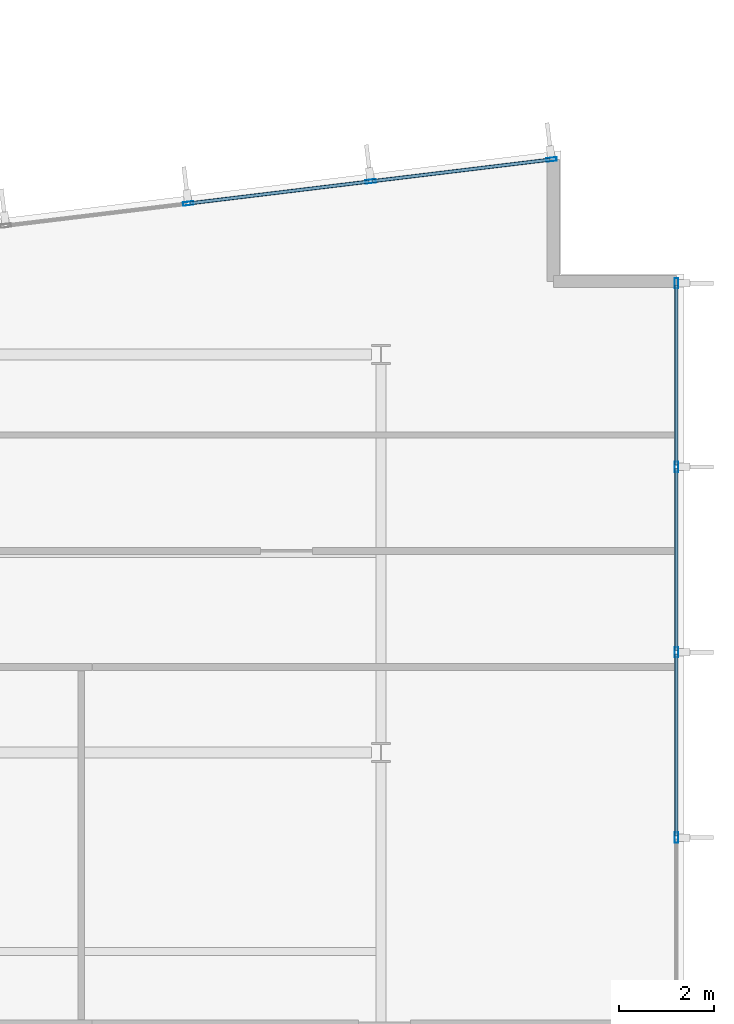
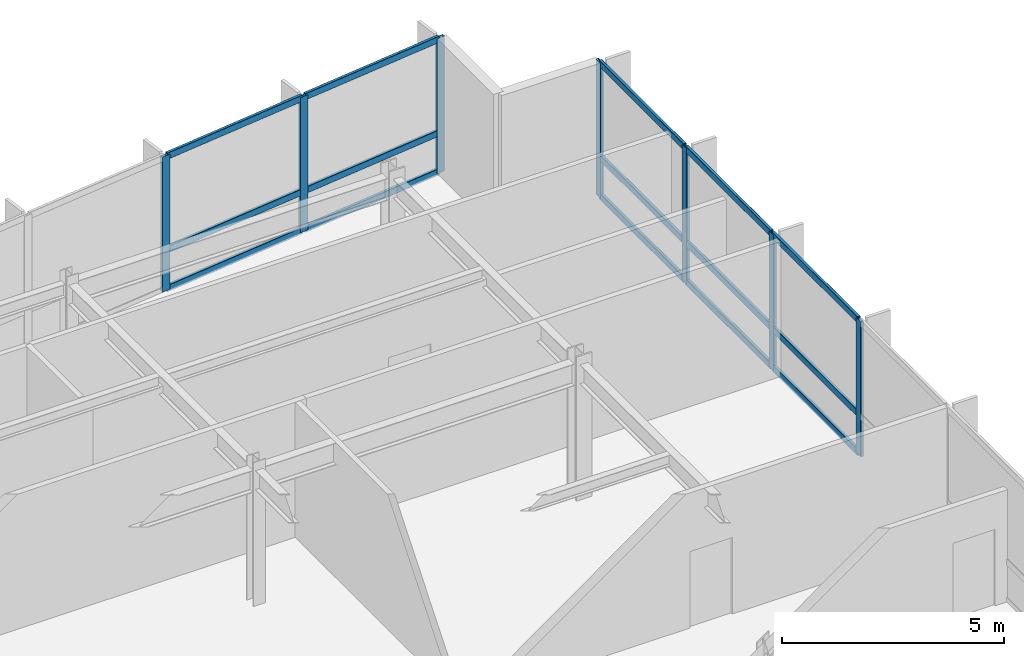
# One storey, part 8 of 16: 22 members, 2 elements without a shape of their own.
"""IFC4 building model written with IfcOpenShell, lengths in metres."""

from ifc_helpers import new_model, si_unit, direction, frame, origin, origin_2d, place, context, subcontext, project, spatial, hollow_rectangle, extrude, material, layer, layer_set, material_profile, profile_set, type_object, element, aggregate, save


model = new_model("IFC4")

# Units and contexts
model_context = context("Model", 3, precision=1e-05, world=origin(), true_north=direction((0.0, 1.0)))
body_context = subcontext(model_context, "Body", "Model", "MODEL_VIEW")
ifc_project = project(units=[si_unit("LENGTHUNIT", "METRE"), si_unit("AREAUNIT", "SQUARE_METRE"), si_unit("VOLUMEUNIT", "CUBIC_METRE"), si_unit("PLANEANGLEUNIT", "RADIAN"), si_unit("MASSUNIT", "GRAM", prefix="KILO")], contexts=[model_context])

# Site, building, storey
site_placement = place(None, origin())
site = spatial("IfcSite", under=ifc_project, at=site_placement, CompositionType="ELEMENT")
building_placement = place(site_placement, origin())
building = spatial("IfcBuilding", under=site, at=building_placement, Name="Varnakote Quay Hospital", CompositionType="ELEMENT")
storey_placement = place(building_placement, frame((0.0, 0.0, 166.550048828125)))
storey = spatial("IfcBuildingStorey", under=building, at=storey_placement, Name="L41", CompositionType="ELEMENT", Elevation=166.550048828125)

# Curtain wall, members
ifc_material_1 = material(Name="Anodised aluminium 6063-T6 Bronze", Category="aluminium")
ifc_layer = layer(ifc_material_1, 0.205078125)
ifc_layer_set = layer_set([ifc_layer], Name="Anodised aluminium 6063-T6 Bronze")
curtain_wall_type = type_object("IfcCurtainWallType", Name="CW-SYS-3", PredefinedType="NOTDEFINED", material=ifc_layer_set)
curtain_wall_1_placement = place(storey_placement, origin())
curtain_wall_1 = element("IfcCurtainWall", 1, at=curtain_wall_1_placement, inside=storey, type_object=curtain_wall_type, Name="L41 Unitised Bronze Curtain Wall 1", PredefinedType="NOTDEFINED")
ifc_material_2 = material(Name="Anodised aluminium 6063-T6 Bronze", Category="aluminium")
ifc_material_profile_1 = material_profile(ifc_material_2, hollow_rectangle(XDim=0.074951171875, YDim=0.219970703125, WallThickness=0.00439453125, InnerFilletRadius=0.00439453125, OuterFilletRadius=0.009033203125, at=origin_2d()), Name="CW-MULL-220x75")
ifc_profile_set_1 = profile_set([ifc_material_profile_1], Name="Anodised aluminium 6063-T6 Bronze")
member_type_1 = type_object("IfcMemberType", Name="CW-MULL-220x75", PredefinedType="MULLION", material=ifc_profile_set_1)
member_1_placement = place(storey_placement, frame((56.639892578125, 18.60009765625, 0.0), z_axis=(0.0, 0.0, 1.0), x_axis=(-1.0, 0.0, 0.0)))
member_1 = element("IfcMember", 2, at=member_1_placement, type_object=member_type_1, Name="-3-L41-1 mullion 4", PredefinedType="MULLION", context=body_context, shape_type="SweptSolid", body=[
    extrude(hollow_rectangle(XDim=0.074951171875, YDim=0.219970703125, WallThickness=0.00439453125, InnerFilletRadius=0.00439453125, OuterFilletRadius=0.009033203125, at=origin_2d()), origin(), (0.0, 0.0, 1.0), 3.7099609375),
])
member_2_placement = place(storey_placement, frame((56.639892578125, 22.513427734375, 0.0), z_axis=(0.0, 0.0, 1.0), x_axis=(-1.0, 0.0, 0.0)))
member_2 = element("IfcMember", 3, at=member_2_placement, type_object=member_type_1, Name="-3-L41-1 mullion 5", PredefinedType="MULLION", context=body_context, shape_type="SweptSolid", body=[
    extrude(hollow_rectangle(XDim=0.074951171875, YDim=0.219970703125, WallThickness=0.00439453125, InnerFilletRadius=0.00439453125, OuterFilletRadius=0.009033203125, at=origin_2d()), origin(), (0.0, 0.0, 1.0), 3.7099609375),
])
member_3_placement = place(storey_placement, frame((56.639892578125, 26.4267578125, 0.0), z_axis=(0.0, 0.0, 1.0), x_axis=(-1.0, 0.0, 0.0)))
member_3 = element("IfcMember", 4, at=member_3_placement, type_object=member_type_1, Name="-3-L41-1 mullion 6", PredefinedType="MULLION", context=body_context, shape_type="SweptSolid", body=[
    extrude(hollow_rectangle(XDim=0.074951171875, YDim=0.219970703125, WallThickness=0.00439453125, InnerFilletRadius=0.00439453125, OuterFilletRadius=0.009033203125, at=origin_2d()), origin(), (0.0, 0.0, 1.0), 3.7099609375),
])
member_4_placement = place(storey_placement, frame((56.639892578125, 30.302490234375, 0.0), z_axis=(0.0, 0.0, 1.0), x_axis=(-1.0, 0.0, 0.0)))
member_4 = element("IfcMember", 5, at=member_4_placement, type_object=member_type_1, Name="-3-L41-1 mullion 7", PredefinedType="MULLION", context=body_context, shape_type="SweptSolid", body=[
    extrude(hollow_rectangle(XDim=0.074951171875, YDim=0.219970703125, WallThickness=0.00439453125, InnerFilletRadius=0.00439453125, OuterFilletRadius=0.009033203125, at=origin_2d()), origin(), (0.0, 0.0, 1.0), 3.7099609375),
])

curtain_wall_2_placement = place(storey_placement, origin())
curtain_wall_2 = element("IfcCurtainWall", 6, at=curtain_wall_2_placement, inside=storey, type_object=curtain_wall_type, Name="L41 Unitised Bronze Curtain Wall 2", PredefinedType="NOTDEFINED")
member_5_placement = place(storey_placement, frame((54.002685546875, 32.914794921875, 0.0), z_axis=(0.0, 0.0, 1.0), x_axis=(0.12032713492, -0.992734295067, 0.0)))
member_5 = element("IfcMember", 7, at=member_5_placement, type_object=member_type_1, Name="-3-L41-2 mullion 1", PredefinedType="MULLION", context=body_context, shape_type="SweptSolid", body=[
    extrude(hollow_rectangle(XDim=0.074951171875, YDim=0.219970703125, WallThickness=0.00439453125, InnerFilletRadius=0.00439453125, OuterFilletRadius=0.009033203125, at=origin_2d()), origin(), (0.0, 0.0, 1.0), 3.7099609375),
])
member_6_placement = place(storey_placement, frame((50.1875, 32.452392578125, 0.0), z_axis=(0.0, 0.0, 1.0), x_axis=(0.12032713492, -0.992734295067, 0.0)))
member_6 = element("IfcMember", 8, at=member_6_placement, type_object=member_type_1, Name="-3-L41-2 mullion 2", PredefinedType="MULLION", context=body_context, shape_type="SweptSolid", body=[
    extrude(hollow_rectangle(XDim=0.074951171875, YDim=0.219970703125, WallThickness=0.00439453125, InnerFilletRadius=0.00439453125, OuterFilletRadius=0.009033203125, at=origin_2d()), origin(), (0.0, 0.0, 1.0), 3.7099609375),
])
member_7_placement = place(storey_placement, frame((46.3349609375, 31.985595703125, 0.0), z_axis=(0.0, 0.0, 1.0), x_axis=(0.12032713492, -0.992734295067, 0.0)))
member_7 = element("IfcMember", 9, at=member_7_placement, type_object=member_type_1, Name="-3-L41-2 mullion 3", PredefinedType="MULLION", context=body_context, shape_type="SweptSolid", body=[
    extrude(hollow_rectangle(XDim=0.074951171875, YDim=0.219970703125, WallThickness=0.00439453125, InnerFilletRadius=0.00439453125, OuterFilletRadius=0.009033203125, at=origin_2d()), origin(), (0.0, 0.0, 1.0), 3.7099609375),
])

# Member
ifc_material_3 = material(Name="Anodised aluminium 6063-T6 Bronze", Category="aluminium")
ifc_material_profile_2 = material_profile(ifc_material_3, hollow_rectangle(XDim=0.074951171875, YDim=0.179931640625, WallThickness=0.004150390625, InnerFilletRadius=0.004150390625, OuterFilletRadius=0.00830078125, at=origin_2d()), Name="CW-TRAN-180x75")
ifc_profile_set_2 = profile_set([ifc_material_profile_2], Name="Anodised aluminium 6063-T6 Bronze")
member_type_2 = type_object("IfcMemberType", Name="CW-TRAN-180x75", PredefinedType="USERDEFINED", material=ifc_profile_set_2)
member_8_placement = place(storey_placement, frame((56.639892578125, 18.637451171875, 0.037353515625), z_axis=(0.0, 1.0, 0.0), x_axis=(-1.0, 0.0, 0.0)))
member_8 = element("IfcMember", 10, at=member_8_placement, type_object=member_type_2, Name="-3-L41-1 transom 4.1", ObjectType="TRANSOM", PredefinedType="USERDEFINED", context=body_context, shape_type="SweptSolid", body=[
    extrude(hollow_rectangle(XDim=0.074951171875, YDim=0.179931640625, WallThickness=0.004150390625, InnerFilletRadius=0.004150390625, OuterFilletRadius=0.00830078125, at=origin_2d()), origin(), (0.0, 0.0, 1.0), 3.83837890625),
])

member_9_placement = place(storey_placement, frame((56.639892578125, 18.637451171875, 1.099853515625), z_axis=(0.0, 1.0, 0.0), x_axis=(-1.0, 0.0, 0.0)))
member_9 = element("IfcMember", 11, at=member_9_placement, type_object=member_type_2, Name="-3-L41-1 transom 4.2", ObjectType="TRANSOM", PredefinedType="USERDEFINED", context=body_context, shape_type="SweptSolid", body=[
    extrude(hollow_rectangle(XDim=0.074951171875, YDim=0.179931640625, WallThickness=0.004150390625, InnerFilletRadius=0.004150390625, OuterFilletRadius=0.00830078125, at=origin_2d()), origin(), (0.0, 0.0, 1.0), 3.83837890625),
])

member_10_placement = place(storey_placement, frame((56.639892578125, 18.637451171875, 3.67236328125), z_axis=(0.0, 1.0, 0.0), x_axis=(-1.0, 0.0, 0.0)))
member_10 = element("IfcMember", 12, at=member_10_placement, type_object=member_type_2, Name="-3-L41-1 transom 4.3", ObjectType="TRANSOM", PredefinedType="USERDEFINED", context=body_context, shape_type="SweptSolid", body=[
    extrude(hollow_rectangle(XDim=0.074951171875, YDim=0.179931640625, WallThickness=0.004150390625, InnerFilletRadius=0.004150390625, OuterFilletRadius=0.00830078125, at=origin_2d()), origin(), (0.0, 0.0, 1.0), 3.83837890625),
])

member_11_placement = place(storey_placement, frame((56.639892578125, 22.55078125, 0.037353515625), z_axis=(0.0, 1.0, 0.0), x_axis=(-1.0, 0.0, 0.0)))
member_11 = element("IfcMember", 13, at=member_11_placement, type_object=member_type_2, Name="-3-L41-1 transom 5.1", ObjectType="TRANSOM", PredefinedType="USERDEFINED", context=body_context, shape_type="SweptSolid", body=[
    extrude(hollow_rectangle(XDim=0.074951171875, YDim=0.179931640625, WallThickness=0.004150390625, InnerFilletRadius=0.004150390625, OuterFilletRadius=0.00830078125, at=origin_2d()), origin(), (0.0, 0.0, 1.0), 3.83837890625),
])

member_12_placement = place(storey_placement, frame((56.639892578125, 22.55078125, 1.099853515625), z_axis=(0.0, 1.0, 0.0), x_axis=(-1.0, 0.0, 0.0)))
member_12 = element("IfcMember", 14, at=member_12_placement, type_object=member_type_2, Name="-3-L41-1 transom 5.2", ObjectType="TRANSOM", PredefinedType="USERDEFINED", context=body_context, shape_type="SweptSolid", body=[
    extrude(hollow_rectangle(XDim=0.074951171875, YDim=0.179931640625, WallThickness=0.004150390625, InnerFilletRadius=0.004150390625, OuterFilletRadius=0.00830078125, at=origin_2d()), origin(), (0.0, 0.0, 1.0), 3.83837890625),
])

member_13_placement = place(storey_placement, frame((56.639892578125, 22.55078125, 3.67236328125), z_axis=(0.0, 1.0, 0.0), x_axis=(-1.0, 0.0, 0.0)))
member_13 = element("IfcMember", 15, at=member_13_placement, type_object=member_type_2, Name="-3-L41-1 transom 5.3", ObjectType="TRANSOM", PredefinedType="USERDEFINED", context=body_context, shape_type="SweptSolid", body=[
    extrude(hollow_rectangle(XDim=0.074951171875, YDim=0.179931640625, WallThickness=0.004150390625, InnerFilletRadius=0.004150390625, OuterFilletRadius=0.00830078125, at=origin_2d()), origin(), (0.0, 0.0, 1.0), 3.83837890625),
])

member_14_placement = place(storey_placement, frame((56.639892578125, 26.464111328125, 0.037353515625), z_axis=(0.0, 1.0, 0.0), x_axis=(-1.0, 0.0, 0.0)))
member_14 = element("IfcMember", 16, at=member_14_placement, type_object=member_type_2, Name="-3-L41-1 transom 6.1", ObjectType="TRANSOM", PredefinedType="USERDEFINED", context=body_context, shape_type="SweptSolid", body=[
    extrude(hollow_rectangle(XDim=0.074951171875, YDim=0.179931640625, WallThickness=0.004150390625, InnerFilletRadius=0.004150390625, OuterFilletRadius=0.00830078125, at=origin_2d()), origin(), (0.0, 0.0, 1.0), 3.80078125),
])

member_15_placement = place(storey_placement, frame((56.639892578125, 26.464111328125, 1.099853515625), z_axis=(0.0, 1.0, 0.0), x_axis=(-1.0, 0.0, 0.0)))
member_15 = element("IfcMember", 17, at=member_15_placement, type_object=member_type_2, Name="-3-L41-1 transom 6.2", ObjectType="TRANSOM", PredefinedType="USERDEFINED", context=body_context, shape_type="SweptSolid", body=[
    extrude(hollow_rectangle(XDim=0.074951171875, YDim=0.179931640625, WallThickness=0.004150390625, InnerFilletRadius=0.004150390625, OuterFilletRadius=0.00830078125, at=origin_2d()), origin(), (0.0, 0.0, 1.0), 3.80078125),
])

member_16_placement = place(storey_placement, frame((56.639892578125, 26.464111328125, 3.67236328125), z_axis=(0.0, 1.0, 0.0), x_axis=(-1.0, 0.0, 0.0)))
member_16 = element("IfcMember", 18, at=member_16_placement, type_object=member_type_2, Name="-3-L41-1 transom 6.3", ObjectType="TRANSOM", PredefinedType="USERDEFINED", context=body_context, shape_type="SweptSolid", body=[
    extrude(hollow_rectangle(XDim=0.074951171875, YDim=0.179931640625, WallThickness=0.004150390625, InnerFilletRadius=0.004150390625, OuterFilletRadius=0.00830078125, at=origin_2d()), origin(), (0.0, 0.0, 1.0), 3.80078125),
])

aggregate(curtain_wall_1, [member_1, member_2, member_3, member_4, member_8, member_9, member_10, member_11, member_12, member_13, member_14, member_15, member_16])

member_17_placement = place(storey_placement, frame((53.965576171875, 32.910400390625, 0.037353515625), z_axis=(-0.992735423717, -0.120317822859, 0.0), x_axis=(0.120317822859, -0.992735423717, 0.0)))
member_17 = element("IfcMember", 19, at=member_17_placement, type_object=member_type_2, Name="-3-L41-2 transom 1.1", ObjectType="TRANSOM", PredefinedType="USERDEFINED", context=body_context, shape_type="SweptSolid", body=[
    extrude(hollow_rectangle(XDim=0.074951171875, YDim=0.179931640625, WallThickness=0.004150390625, InnerFilletRadius=0.004150390625, OuterFilletRadius=0.00830078125, at=origin_2d()), origin(), (0.0, 0.0, 1.0), 3.76806640625),
])

member_18_placement = place(storey_placement, frame((53.965576171875, 32.910400390625, 1.099853515625), z_axis=(-0.992735423717, -0.120317822859, 0.0), x_axis=(0.120317822859, -0.992735423717, 0.0)))
member_18 = element("IfcMember", 20, at=member_18_placement, type_object=member_type_2, Name="-3-L41-2 transom 1.2", ObjectType="TRANSOM", PredefinedType="USERDEFINED", context=body_context, shape_type="SweptSolid", body=[
    extrude(hollow_rectangle(XDim=0.074951171875, YDim=0.179931640625, WallThickness=0.004150390625, InnerFilletRadius=0.004150390625, OuterFilletRadius=0.00830078125, at=origin_2d()), origin(), (0.0, 0.0, 1.0), 3.76806640625),
])

member_19_placement = place(storey_placement, frame((53.965576171875, 32.910400390625, 3.67236328125), z_axis=(-0.992735423717, -0.120317822859, 0.0), x_axis=(0.120317822859, -0.992735423717, 0.0)))
member_19 = element("IfcMember", 21, at=member_19_placement, type_object=member_type_2, Name="-3-L41-2 transom 1.3", ObjectType="TRANSOM", PredefinedType="USERDEFINED", context=body_context, shape_type="SweptSolid", body=[
    extrude(hollow_rectangle(XDim=0.074951171875, YDim=0.179931640625, WallThickness=0.004150390625, InnerFilletRadius=0.004150390625, OuterFilletRadius=0.00830078125, at=origin_2d()), origin(), (0.0, 0.0, 1.0), 3.76806640625),
])

member_20_placement = place(storey_placement, frame((50.150390625, 32.447998046875, 0.037353515625), z_axis=(-0.992731924158, -0.120346694005, 0.0), x_axis=(0.120346694005, -0.992731924158, 0.0)))
member_20 = element("IfcMember", 22, at=member_20_placement, type_object=member_type_2, Name="-3-L41-2 transom 2.1", ObjectType="TRANSOM", PredefinedType="USERDEFINED", context=body_context, shape_type="SweptSolid", body=[
    extrude(hollow_rectangle(XDim=0.074951171875, YDim=0.179931640625, WallThickness=0.004150390625, InnerFilletRadius=0.004150390625, OuterFilletRadius=0.00830078125, at=origin_2d()), origin(), (0.0, 0.0, 1.0), 3.8056640625),
])

member_21_placement = place(storey_placement, frame((50.150390625, 32.447998046875, 1.099853515625), z_axis=(-0.992731924158, -0.120346694005, 0.0), x_axis=(0.120346694005, -0.992731924158, 0.0)))
member_21 = element("IfcMember", 23, at=member_21_placement, type_object=member_type_2, Name="-3-L41-2 transom 2.2", ObjectType="TRANSOM", PredefinedType="USERDEFINED", context=body_context, shape_type="SweptSolid", body=[
    extrude(hollow_rectangle(XDim=0.074951171875, YDim=0.179931640625, WallThickness=0.004150390625, InnerFilletRadius=0.004150390625, OuterFilletRadius=0.00830078125, at=origin_2d()), origin(), (0.0, 0.0, 1.0), 3.8056640625),
])

member_22_placement = place(storey_placement, frame((50.150390625, 32.447998046875, 3.67236328125), z_axis=(-0.992731924158, -0.120346694005, 0.0), x_axis=(0.120346694005, -0.992731924158, 0.0)))
member_22 = element("IfcMember", 24, at=member_22_placement, type_object=member_type_2, Name="-3-L41-2 transom 2.3", ObjectType="TRANSOM", PredefinedType="USERDEFINED", context=body_context, shape_type="SweptSolid", body=[
    extrude(hollow_rectangle(XDim=0.074951171875, YDim=0.179931640625, WallThickness=0.004150390625, InnerFilletRadius=0.004150390625, OuterFilletRadius=0.00830078125, at=origin_2d()), origin(), (0.0, 0.0, 1.0), 3.8056640625),
])

aggregate(curtain_wall_2, [member_5, member_6, member_7, member_17, member_18, member_19, member_20, member_21, member_22])

save(model, "model.ifc")
